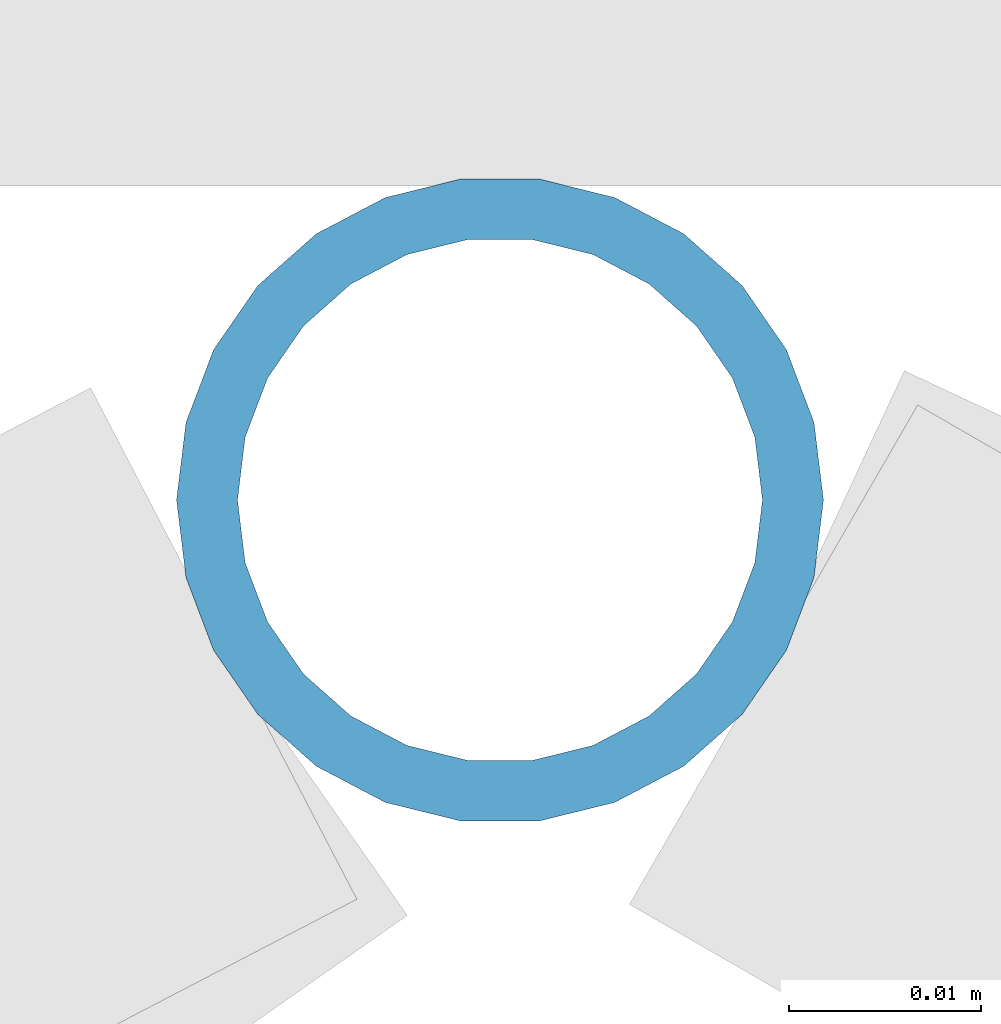
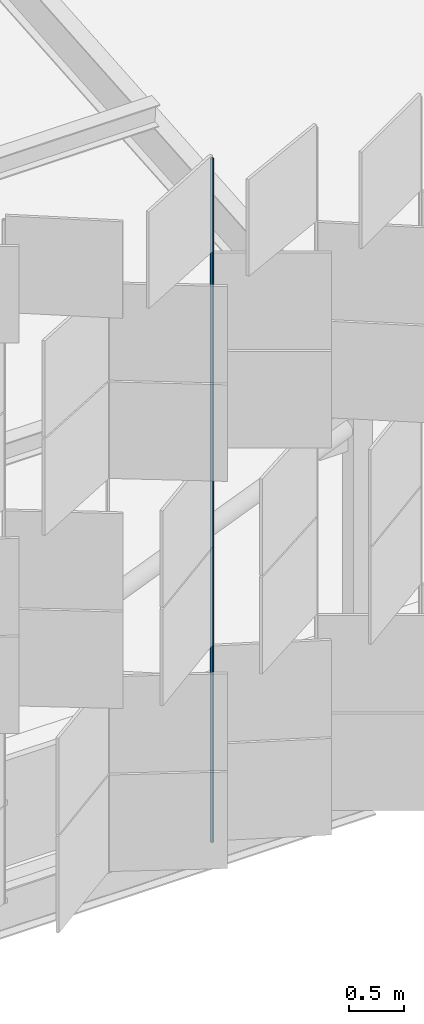
# One storey, part 228 of 483: 1 discrete accessory.
"""IFC4 building model written with IfcOpenShell, lengths in metres."""

from ifc_helpers import new_model, si_unit, direction, frame, origin, origin_2d, place, context, subcontext, project, spatial, hollow_circle, extrude, material, material_profile, profile_set, type_object, element, save


model = new_model("IFC4")

# Units and contexts
model_context = context("Model", 3, precision=1e-05, world=origin(), true_north=direction((0.0, 1.0)))
body_context = subcontext(model_context, "Body", "Model", "MODEL_VIEW")
ifc_project = project(units=[si_unit("LENGTHUNIT", "METRE"), si_unit("AREAUNIT", "SQUARE_METRE"), si_unit("VOLUMEUNIT", "CUBIC_METRE"), si_unit("PLANEANGLEUNIT", "RADIAN"), si_unit("MASSUNIT", "GRAM", prefix="KILO")], contexts=[model_context])

# Site, building, storey
site_placement = place(None, origin())
site = spatial("IfcSite", under=ifc_project, at=site_placement, CompositionType="ELEMENT")
building_placement = place(site_placement, origin())
building = spatial("IfcBuilding", under=site, at=building_placement, Name="Parallax Yard Mobility Hub", CompositionType="ELEMENT")
storey_placement = place(building_placement, frame((0.0, 0.0, 13.199951171875)))
storey = spatial("IfcBuildingStorey", under=building, at=storey_placement, Name="L04", CompositionType="ELEMENT", Elevation=13.199951171875)

# Discrete accessory
ifc_material = material(Name="Steel ASTM A500 Gr C, hot-dip galvanised", Category="steel")
ifc_material_profile = material_profile(ifc_material, hollow_circle(Radius=0.016845703125, WallThickness=0.003173828125, at=origin_2d()), Name="CHS 33.7x3.2")
ifc_profile_set = profile_set([ifc_material_profile], Name="Steel ASTM A500 Gr C, hot-dip galvanised")
discrete_accessory_type = type_object("IfcDiscreteAccessoryType", Name="Hinge post CHS 33.7x3.2", PredefinedType="BRACKET", material=ifc_profile_set)
discrete_accessory_placement = place(storey_placement, frame((162.8515625, 111.944580078125, 0.0), z_axis=(0.0, 0.0, 1.0), x_axis=(1.0, 0.0, 0.0)))
element("IfcDiscreteAccessory", 1, at=discrete_accessory_placement, inside=storey, type_object=discrete_accessory_type, Name="Hinge post bay 16.6 level L04", PredefinedType="BRACKET", context=body_context, shape_type="SweptSolid", body=[
    extrude(hollow_circle(Radius=0.016845703125, WallThickness=0.003173828125, at=origin_2d()), origin(), (0.0, 0.0, 1.0), 7.650146484375),
])

save(model, "model.ifc")
